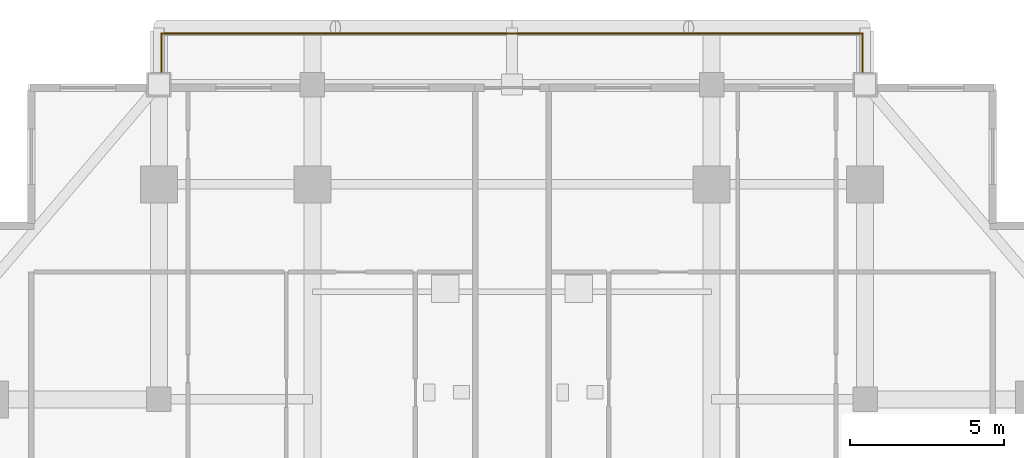
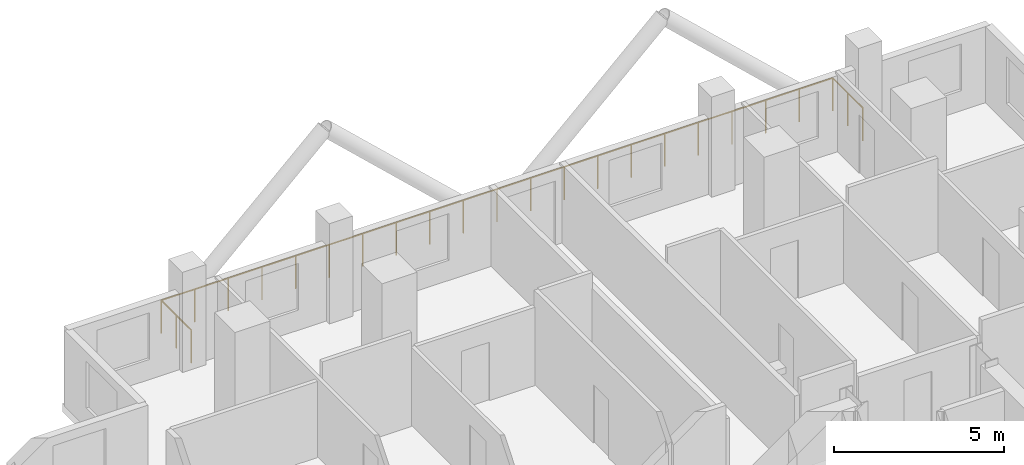
# One storey, part 20 of 21: 1 railing.
"""IFC4 building model written with IfcOpenShell, lengths in metres."""

import ifcopenshell
import ifcopenshell.guid

model = None  # the IFC model being written
_history = None  # IfcOwnerHistory: only IFC2X3 demands one
_inside = {}  # id of a spatial element -> (the spatial element, [elements in it])
_under = {}  # id of a project, library or spatial element -> (it, [spatial elements below it])
_declared = {}  # id of a project -> (the project, [libraries it declares])
_typed = {}  # id of a type object -> (the type object, [elements of that type])
_made_of = {}  # id of a material, layer set ... -> (it, [elements and type objects made of it])


def new_model(schema):
    """Start an empty IFC model of exactly this schema.

    Asked for "IFC4X3", IfcOpenShell would pick the latest addendum, in which some entities
    have other attributes; the version numbers below select the first issue.
    IFC2X3 requires an IfcOwnerHistory on every rooted entity: one is made here for all.
    """
    global model, _history
    if schema == "IFC4X3":
        model = ifcopenshell.file(schema_version=(4, 3, 0, 0))
    else:
        model = ifcopenshell.file(schema=schema)
    _inside.clear()
    _under.clear()
    _declared.clear()
    _typed.clear()
    _made_of.clear()
    _history = None
    if model.schema == "IFC2X3":
        org = make("IfcOrganization", Name="unknown")
        user = make(
            "IfcPersonAndOrganization",
            ThePerson=make("IfcPerson", FamilyName="unknown"),
            TheOrganization=org,
        )
        app = make(
            "IfcApplication",
            ApplicationDeveloper=org,
            Version="unknown",
            ApplicationFullName="unknown",
            ApplicationIdentifier="unknown",
        )
        _history = make(
            "IfcOwnerHistory",
            OwningUser=user,
            OwningApplication=app,
            ChangeAction="ADDED",
            CreationDate=0,
        )
    return model


def make(cls, **values):
    """One entity of the class cls with the attributes given. An attribute that is None is left unset."""
    return model.create_entity(
        cls, **{name: value for name, value in values.items() if value is not None}
    )


def rooted(cls, **values):
    """An entity with a GlobalId (a new one), such as an element, a storey or a relation."""
    return make(cls, GlobalId=ifcopenshell.guid.new(), OwnerHistory=_history, **values)


def si_unit(unit_type, name, prefix=None):
    """IfcSIUnit, for example si_unit("LENGTHUNIT", "METRE", prefix="MILLI")."""
    return make("IfcSIUnit", UnitType=unit_type, Prefix=prefix, Name=name)


def assignment(units):
    """IfcUnitAssignment: the units of a project."""
    return None if units is None else make("IfcUnitAssignment", Units=units)


def point(xyz):
    """IfcCartesianPoint."""
    return None if xyz is None else make("IfcCartesianPoint", Coordinates=xyz)


def direction(xyz):
    """IfcDirection."""
    return None if xyz is None else make("IfcDirection", DirectionRatios=xyz)


def frame(location, z_axis=None, x_axis=None):
    """IfcAxis2Placement3D, a coordinate frame: its origin and axes. An axis left out is left unset."""
    return make(
        "IfcAxis2Placement3D",
        Location=point(location),
        Axis=direction(z_axis),
        RefDirection=direction(x_axis),
    )


def frame_2d(location, x_axis=None):
    """IfcAxis2Placement2D, a coordinate frame in the plane: its origin and x axis."""
    return make(
        "IfcAxis2Placement2D", Location=point(location), RefDirection=direction(x_axis)
    )


def origin():
    """The frame at (0, 0, 0) with its axes left unset."""
    return frame((0.0, 0.0, 0.0))


def origin_2d():
    """The frame at (0, 0) in the plane with its x axis left unset."""
    return frame_2d((0.0, 0.0))


def place(relative_to, where):
    """IfcLocalPlacement: puts the frame where relative to a parent placement (None: the world)."""
    return make(
        "IfcLocalPlacement", PlacementRelTo=relative_to, RelativePlacement=where
    )


def context(
    kind, dimensions, precision=None, world=None, true_north=None, identifier=None
):
    """IfcGeometricRepresentationContext, for example the 3D "Model" context."""
    return make(
        "IfcGeometricRepresentationContext",
        ContextIdentifier=identifier,
        ContextType=kind,
        CoordinateSpaceDimension=dimensions,
        Precision=precision,
        WorldCoordinateSystem=world,
        TrueNorth=true_north,
    )


def subcontext(parent, identifier, kind, view, scale=None):
    """IfcGeometricRepresentationSubContext, for example "Body" below "Model"."""
    return make(
        "IfcGeometricRepresentationSubContext",
        ContextIdentifier=identifier,
        ContextType=kind,
        ParentContext=parent,
        TargetScale=scale,
        TargetView=view,
    )


def project(units=None, contexts=None):
    """IfcProject with its units and contexts."""
    return rooted(
        "IfcProject",
        Name="project",
        RepresentationContexts=contexts,
        UnitsInContext=assignment(units),
    )


def spatial(cls, under=None, at=None, **own):
    """A site, building, storey or space (cls), placed at a placement, below another one or the project."""
    s = rooted(cls, ObjectPlacement=at, **own)
    if under is not None:
        _under.setdefault(under.id(), (under, []))[1].append(s)
    return s


def profile(cls, at=None, kind="AREA", **sizes):
    """A parametric profile (cls). Its sizes go by their IFC names, for example OverallWidth=200.0."""
    return make(cls, ProfileType=kind, Position=at, **sizes)


def circle(**sizes):
    """IfcCircleProfileDef."""
    return profile("IfcCircleProfileDef", **sizes)


def extrude(swept, where, along, depth):
    """IfcExtrudedAreaSolid: the profile swept, set in the frame where, extruded along a direction by depth."""
    return make(
        "IfcExtrudedAreaSolid",
        SweptArea=swept,
        Position=where,
        ExtrudedDirection=direction(along),
        Depth=depth,
    )


def shape(context_of_items, identifier, shape_type, items):
    """IfcShapeRepresentation: the items that make up one representation, for example the "Body"."""
    return make(
        "IfcShapeRepresentation",
        ContextOfItems=context_of_items,
        RepresentationIdentifier=identifier,
        RepresentationType=shape_type,
        Items=items,
    )


def material(Name=None, Category=None):
    """IfcMaterial."""
    return make("IfcMaterial", Name=Name, Category=Category)


def made_of(thing, what):
    """Note that an element or type object is made of a material, layer set ...; save() writes the relation."""
    if what is not None:
        _made_of.setdefault(what.id(), (what, []))[1].append(thing)
    return thing


def type_object(cls, material=None, **own):
    """A type object (cls), such as IfcWallType, which elements share."""
    return made_of(rooted(cls, **own), material)


def element(
    cls,
    number,
    at=None,
    inside=None,
    cuts=None,
    type_object=None,
    material=None,
    context=None,
    identifier="Body",
    shape_type=None,
    held_by="IfcProductDefinitionShape",
    body=None,
    shapes=None,
    **own,
):
    """One element of the class cls, such as IfcWall. Its Tag is "e" and its number.

    at: its placement. inside: the storey or other place that contains it. cuts: it is an
    opening in that element (IfcRelVoidsElement). A single representation is given by context,
    identifier, shape_type and body (its items); several are given by shapes. held_by: the class
    of the entity that holds the representations. save() writes the other relations.
    """
    e = rooted(cls, Tag="e%d" % number, ObjectPlacement=at, **own)
    if body is not None:
        shapes = [shape(context, identifier, shape_type, body)]
    if shapes is not None:
        e.Representation = make(held_by, Representations=shapes)
    if inside is not None:
        _inside.setdefault(inside.id(), (inside, []))[1].append(e)
    if cuts is not None:
        rooted(
            "IfcRelVoidsElement", RelatingBuildingElement=cuts, RelatedOpeningElement=e
        )
    if type_object is not None:
        _typed.setdefault(type_object.id(), (type_object, []))[1].append(e)
    return made_of(e, material)


def aggregate(whole, parts):
    """IfcRelAggregates: a whole, such as a stair, and the parts it consists of."""
    return rooted("IfcRelAggregates", RelatingObject=whole, RelatedObjects=parts)


def save(model, path):
    """Write the relations noted so far, then the file.

    IfcRelAggregates (storeys below a building ...), IfcRelContainedInSpatialStructure (elements
    in a storey), IfcRelDefinesByType, IfcRelAssociatesMaterial and IfcRelDeclares: one each for
    every whole, place, type object, material and project.
    """
    for whole, parts in _under.values():
        aggregate(whole, parts)
    for where, things in _inside.values():
        rooted(
            "IfcRelContainedInSpatialStructure",
            RelatedElements=things,
            RelatingStructure=where,
        )
    for kind, things in _typed.values():
        rooted("IfcRelDefinesByType", RelatedObjects=things, RelatingType=kind)
    for what, things in _made_of.values():
        rooted("IfcRelAssociatesMaterial", RelatedObjects=things, RelatingMaterial=what)
    for by, libraries in _declared.values():
        rooted("IfcRelDeclares", RelatingContext=by, RelatedDefinitions=libraries)
    model.write(path)


model = new_model("IFC4")

# Units and contexts
model_context = context("Model", 3, precision=1e-05, world=origin(), true_north=direction((0.0, 1.0)))
body_context = subcontext(model_context, "Body", "Model", "MODEL_VIEW")
ifc_project = project(units=[si_unit("LENGTHUNIT", "METRE"), si_unit("AREAUNIT", "SQUARE_METRE"), si_unit("VOLUMEUNIT", "CUBIC_METRE"), si_unit("PLANEANGLEUNIT", "RADIAN"), si_unit("MASSUNIT", "GRAM", prefix="KILO")], contexts=[model_context])

# Site, building, storey
site_placement = place(None, origin())
site = spatial("IfcSite", under=ifc_project, at=site_placement, CompositionType="ELEMENT")
building_placement = place(site_placement, origin())
building = spatial("IfcBuilding", under=site, at=building_placement, Name="Barlavira Tower and Art Museum", CompositionType="ELEMENT")
storey_placement = place(building_placement, frame((0.0, 0.0, 99.0)))
storey = spatial("IfcBuildingStorey", under=building, at=storey_placement, Name="L24", CompositionType="ELEMENT", Elevation=99.0)

# Railing
ifc_material = material(Name="Laminated safety glass and stainless steel", Category="steel")
railing_type = type_object("IfcRailingType", Name="Terrace and Wind-Floor Laminated Glass Balustrade 1200", PredefinedType="BALUSTRADE", material=ifc_material)
railing_placement = place(storey_placement, frame((-11.419921875, 23.14990234375, 0.0)))
element("IfcRailing", 1, at=railing_placement, inside=storey, type_object=railing_type, Name="L24 N Setback Terrace Balustrade", PredefinedType="BALUSTRADE", context=body_context, shape_type="SweptSolid", body=[
    extrude(circle(Radius=0.02392578125, at=origin_2d()), frame((0.0, 0.0, 1.17578125), z_axis=(0.0, 1.0, 0.0), x_axis=(-1.0, 0.0, 0.0)), (0.0, 0.0, 1.0), 1.77001953125),
    extrude(circle(Radius=0.02392578125, at=origin_2d()), frame((0.0, 1.77001953125, 1.17578125), z_axis=(1.0, 0.0, 0.0), x_axis=(0.0, 1.0, 0.0)), (0.0, 0.0, 1.0), 22.83984375),
    extrude(circle(Radius=0.02392578125, at=origin_2d()), frame((22.83984375, 1.77001953125, 1.17578125), z_axis=(0.0, -1.0, 0.0), x_axis=(1.0, 0.0, 0.0)), (0.0, 0.0, 1.0), 1.77001953125),
    extrude(circle(Radius=0.02099609375, at=origin_2d()), origin(), (0.0, 0.0, 1.0), 1.15185546875),
    extrude(circle(Radius=0.02099609375, at=origin_2d()), frame((0.0, 0.885009765625, 0.0)), (0.0, 0.0, 1.0), 1.15185546875),
    extrude(circle(Radius=0.02099609375, at=origin_2d()), frame((0.0, 1.77001953125, 0.0)), (0.0, 0.0, 1.0), 1.15185546875),
    extrude(circle(Radius=0.02099609375, at=origin_2d()), frame((1.14208984375, 1.77001953125, 0.0)), (0.0, 0.0, 1.0), 1.15185546875),
    extrude(circle(Radius=0.02099609375, at=origin_2d()), frame((2.283935546875, 1.77001953125, 0.0)), (0.0, 0.0, 1.0), 1.15185546875),
    extrude(circle(Radius=0.02099609375, at=origin_2d()), frame((3.426025390625, 1.77001953125, 0.0)), (0.0, 0.0, 1.0), 1.15185546875),
    extrude(circle(Radius=0.02099609375, at=origin_2d()), frame((4.56787109375, 1.77001953125, 0.0)), (0.0, 0.0, 1.0), 1.15185546875),
    extrude(circle(Radius=0.02099609375, at=origin_2d()), frame((5.7099609375, 1.77001953125, 0.0)), (0.0, 0.0, 1.0), 1.15185546875),
    extrude(circle(Radius=0.02099609375, at=origin_2d()), frame((6.85205078125, 1.77001953125, 0.0)), (0.0, 0.0, 1.0), 1.15185546875),
    extrude(circle(Radius=0.02099609375, at=origin_2d()), frame((7.993896484375, 1.77001953125, 0.0)), (0.0, 0.0, 1.0), 1.15185546875),
    extrude(circle(Radius=0.02099609375, at=origin_2d()), frame((9.135986328125, 1.77001953125, 0.0)), (0.0, 0.0, 1.0), 1.15185546875),
    extrude(circle(Radius=0.02099609375, at=origin_2d()), frame((10.27783203125, 1.77001953125, 0.0)), (0.0, 0.0, 1.0), 1.15185546875),
    extrude(circle(Radius=0.02099609375, at=origin_2d()), frame((11.419921875, 1.77001953125, 0.0)), (0.0, 0.0, 1.0), 1.15185546875),
    extrude(circle(Radius=0.02099609375, at=origin_2d()), frame((12.56201171875, 1.77001953125, 0.0)), (0.0, 0.0, 1.0), 1.15185546875),
    extrude(circle(Radius=0.02099609375, at=origin_2d()), frame((13.703857421875, 1.77001953125, 0.0)), (0.0, 0.0, 1.0), 1.15185546875),
    extrude(circle(Radius=0.02099609375, at=origin_2d()), frame((14.845947265625, 1.77001953125, 0.0)), (0.0, 0.0, 1.0), 1.15185546875),
    extrude(circle(Radius=0.02099609375, at=origin_2d()), frame((15.98779296875, 1.77001953125, 0.0)), (0.0, 0.0, 1.0), 1.15185546875),
    extrude(circle(Radius=0.02099609375, at=origin_2d()), frame((17.1298828125, 1.77001953125, 0.0)), (0.0, 0.0, 1.0), 1.15185546875),
    extrude(circle(Radius=0.02099609375, at=origin_2d()), frame((18.27197265625, 1.77001953125, 0.0)), (0.0, 0.0, 1.0), 1.15185546875),
    extrude(circle(Radius=0.02099609375, at=origin_2d()), frame((19.413818359375, 1.77001953125, 0.0)), (0.0, 0.0, 1.0), 1.15185546875),
    extrude(circle(Radius=0.02099609375, at=origin_2d()), frame((20.555908203125, 1.77001953125, 0.0)), (0.0, 0.0, 1.0), 1.15185546875),
    extrude(circle(Radius=0.02099609375, at=origin_2d()), frame((21.69775390625, 1.77001953125, 0.0)), (0.0, 0.0, 1.0), 1.15185546875),
    extrude(circle(Radius=0.02099609375, at=origin_2d()), frame((22.83984375, 1.77001953125, 0.0)), (0.0, 0.0, 1.0), 1.15185546875),
    extrude(circle(Radius=0.02099609375, at=origin_2d()), frame((22.83984375, 0.885009765625, 0.0)), (0.0, 0.0, 1.0), 1.15185546875),
    extrude(circle(Radius=0.02099609375, at=origin_2d()), frame((22.83984375, 0.0, 0.0)), (0.0, 0.0, 1.0), 1.15185546875),
])

save(model, "model.ifc")
